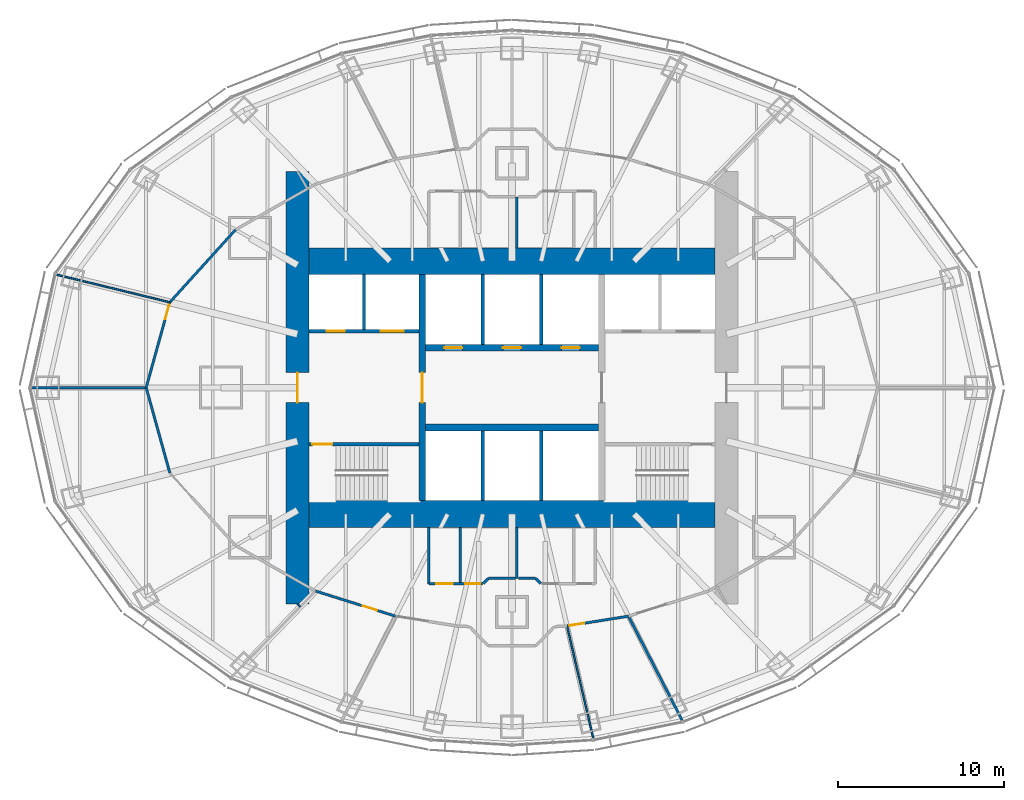
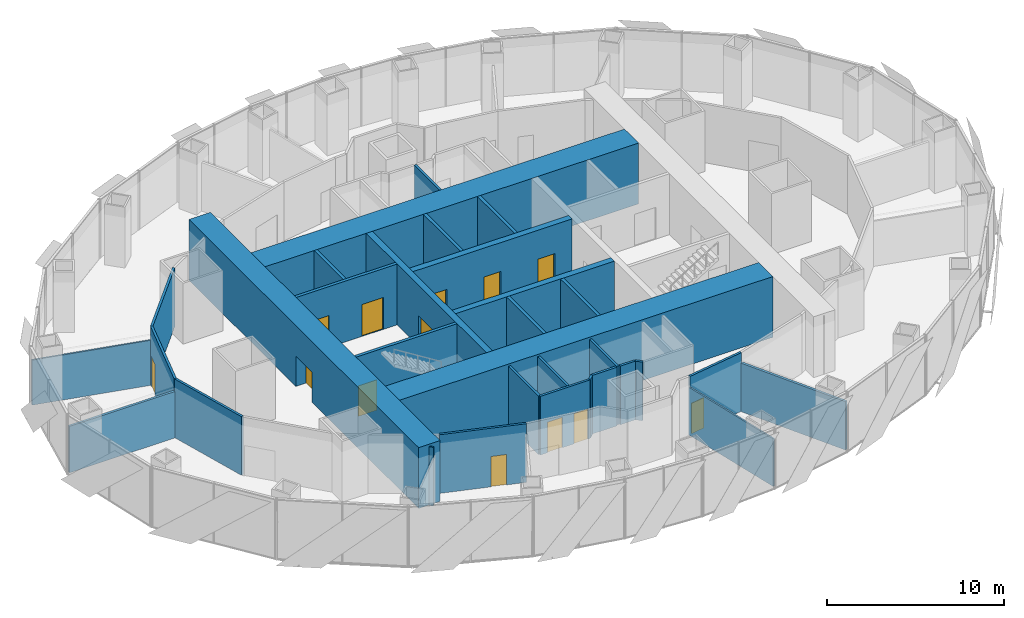
# One storey, part 11 of 18: 32 walls, 13 doors, 13 openings.
"""IFC4 building model written with IfcOpenShell, lengths in metres."""

from ifc_helpers import new_model, si_unit, direction, frame, frame_2d, origin, place, context, subcontext, project, spatial, rectangle, extrude, material, layer, layer_set, type_object, element, fill, save


model = new_model("IFC4")

# Units and contexts
model_context = context("Model", 3, precision=1e-05, world=origin(), true_north=direction((0.0, 1.0)))
body_context = subcontext(model_context, "Body", "Model", "MODEL_VIEW")
ifc_project = project(units=[si_unit("LENGTHUNIT", "METRE"), si_unit("AREAUNIT", "SQUARE_METRE"), si_unit("VOLUMEUNIT", "CUBIC_METRE"), si_unit("PLANEANGLEUNIT", "RADIAN"), si_unit("MASSUNIT", "GRAM", prefix="KILO")], contexts=[model_context])

# Site, building, storey
site_placement = place(None, origin())
site = spatial("IfcSite", under=ifc_project, at=site_placement, CompositionType="ELEMENT")
building_placement = place(site_placement, origin())
building = spatial("IfcBuilding", under=site, at=building_placement, Name="Lantaw Convention Tower", CompositionType="ELEMENT")
storey_placement = place(building_placement, frame((0.0, 0.0, 176.199951171875)))
storey = spatial("IfcBuildingStorey", under=building, at=storey_placement, Name="L41", CompositionType="ELEMENT", Elevation=176.199951171875)

# Wall, opening, door
ifc_material_1 = material(Name="Concrete C60/75", Category="concrete")
ifc_layer_1 = layer(ifc_material_1, 1.39990234375)
ifc_layer_set_1 = layer_set([ifc_layer_1], Name="Core wall 1400")
wall_type_1 = type_object("IfcWallType", Name="Core wall 1400", PredefinedType="SHEAR", material=ifc_layer_set_1)
wall_1_placement = place(storey_placement, frame((-12.89990234375, 13.0, 0.0), z_axis=(0.0, 0.0, 1.0), x_axis=(0.0, -1.0, 0.0)))
wall_1 = element("IfcWall", 1, at=wall_1_placement, inside=storey, type_object=wall_type_1, Name="Core wall W", PredefinedType="SHEAR", context=body_context, shape_type="SweptSolid", body=[
    extrude(rectangle(XDim=26.0, YDim=1.39990234375, at=frame_2d((13.0, 0.0))), origin(), (0.0, 0.0, 1.0), 4.199951171875),
])
opening_1_placement = place(wall_1_placement, frame((12.10009765625, 0.0, 0.0)))
opening_1 = element("IfcOpeningElement", 2, at=opening_1_placement, cuts=wall_1, Name="Opening L41.06", PredefinedType="OPENING", context=body_context, shape_type="SweptSolid", body=[
    extrude(rectangle(XDim=1.800048828125, YDim=2.10009765625, at=frame_2d((0.89990234375, 1.050048828125))), frame((0.0, 0.7099609375, 0.0), z_axis=(0.0, -1.0, 0.0), x_axis=(1.0, 0.0, 0.0)), (0.0, 0.0, 1.0), 1.419921875),
])
ifc_material_2 = material(Name="Steel, fire rated", Category="steel")
door_type_1 = type_object("IfcDoorType", Name="Lobby double door FD90", OperationType="DOUBLE_DOOR_DOUBLE_SWING", PredefinedType="DOOR", material=ifc_material_2)
door_1_placement = place(opening_1_placement, origin())
door_1 = element("IfcDoor", 3, at=door_1_placement, inside=storey, type_object=door_type_1, Name="Firefighting lobby door", OperationType="DOUBLE_DOOR_DOUBLE_SWING", OverallHeight=2.10009765625, OverallWidth=1.800048828125, PredefinedType="DOOR", context=body_context, shape_type="SweptSolid", body=[
    extrude(rectangle(XDim=1.800048828125, YDim=2.10009765625, at=frame_2d((0.89990234375, 1.050048828125))), frame((0.0, 0.02490234375, 0.0), z_axis=(0.0, -1.0, 0.0), x_axis=(1.0, 0.0, 0.0)), (0.0, 0.0, 1.0), 0.050048828125),
])
fill(opening_1, door_1)

# Walls
ifc_layer_2 = layer(ifc_material_1, 1.60009765625)
ifc_layer_set_2 = layer_set([ifc_layer_2], Name="Core wall 1600")
wall_type_2 = type_object("IfcWallType", Name="Core wall 1600", PredefinedType="SHEAR", material=ifc_layer_set_2)
for number, where, z_axis, x_axis, name in (
    (4, (-12.199951171875, -7.60009765625, 0.0), (0.0, 0.0, 1.0), (1.0, 0.0, 0.0), "Core wall S"),
    (5, (12.199951171875, 7.60009765625, 0.0), (0.0, 0.0, 1.0), (-1.0, 0.0, 0.0), "Core wall N"),
):
    element("IfcWall", number, at=place(storey_placement, frame(where, z_axis=z_axis, x_axis=x_axis)), inside=storey, type_object=wall_type_2, Name=name, PredefinedType="SHEAR", context=body_context, shape_type="SweptSolid", body=[
        extrude(rectangle(XDim=24.39990234375, YDim=1.60009765625, at=frame_2d((12.199951171875, 0.0))), origin(), (0.0, 0.0, 1.0), 4.199951171875),
    ])

# Wall, opening, door
ifc_layer_3 = layer(ifc_material_1, 0.199951171875)
ifc_layer_set_3 = layer_set([ifc_layer_3], Name="Core wall 200")
wall_type_3 = type_object("IfcWallType", Name="Core wall 200", PredefinedType="SHEAR", material=ifc_layer_set_3)
wall_2_placement = place(storey_placement, frame((-5.60009765625, -3.39990234375, 0.0), z_axis=(0.0, 0.0, 1.0), x_axis=(-1.0, 0.0, 0.0)))
wall_2 = element("IfcWall", 6, at=wall_2_placement, inside=storey, type_object=wall_type_3, Name="Core wall WS", PredefinedType="SHEAR", context=body_context, shape_type="SweptSolid", body=[
    extrude(rectangle(XDim=6.599853515625, YDim=0.199951171875, at=frame_2d((3.2998046875, 0.0))), origin(), (0.0, 0.0, 1.0), 4.199951171875),
])
opening_2_placement = place(wall_2_placement, frame((5.199951171875, 0.0, 0.0)))
opening_2 = element("IfcOpeningElement", 7, at=opening_2_placement, cuts=wall_2, Name="Opening L41.04", PredefinedType="OPENING", context=body_context, shape_type="SweptSolid", body=[
    extrude(rectangle(XDim=1.199951171875, YDim=2.10009765625, at=frame_2d((0.60009765625, 1.050048828125))), frame((0.0, 0.10986328125, 0.0), z_axis=(0.0, -1.0, 0.0), x_axis=(1.0, 0.0, 0.0)), (0.0, 0.0, 1.0), 0.219970703125),
])
door_type_2 = type_object("IfcDoorType", Name="Stair door FD90", OperationType="SINGLE_SWING_RIGHT", PredefinedType="DOOR", material=ifc_material_2)
door_2_placement = place(opening_2_placement, origin())
door_2 = element("IfcDoor", 8, at=door_2_placement, inside=storey, type_object=door_type_2, Name="Exit stair door", OperationType="SINGLE_SWING_RIGHT", OverallHeight=2.10009765625, OverallWidth=1.199951171875, PredefinedType="DOOR", context=body_context, shape_type="SweptSolid", body=[
    extrude(rectangle(XDim=1.199951171875, YDim=2.10009765625, at=frame_2d((0.60009765625, 1.050048828125))), frame((0.0, 0.02490234375, 0.0), z_axis=(0.0, -1.0, 0.0), x_axis=(1.0, 0.0, 0.0)), (0.0, 0.0, 1.0), 0.050048828125),
])
fill(opening_2, door_2)

ifc_layer_4 = layer(ifc_material_1, 0.39990234375)
ifc_layer_set_4 = layer_set([ifc_layer_4], Name="Core wall 400")
wall_type_4 = type_object("IfcWallType", Name="Core wall 400", PredefinedType="SHEAR", material=ifc_layer_set_4)
wall_3_placement = place(storey_placement, frame((-5.39990234375, 6.800048828125, 0.0), z_axis=(0.0, 0.0, 1.0), x_axis=(0.0, -1.0, 0.0)))
wall_3 = element("IfcWall", 9, at=wall_3_placement, inside=storey, type_object=wall_type_4, Name="Core wall XW", PredefinedType="SHEAR", context=body_context, shape_type="SweptSolid", body=[
    extrude(rectangle(XDim=13.60009765625, YDim=0.39990234375, at=frame_2d((6.800048828125, 0.0))), origin(), (0.0, 0.0, 1.0), 4.199951171875),
])
opening_3_placement = place(wall_3_placement, frame((5.89990234375, 0.0, 0.0)))
opening_3 = element("IfcOpeningElement", 10, at=opening_3_placement, cuts=wall_3, Name="Opening L41.02", PredefinedType="OPENING", context=body_context, shape_type="SweptSolid", body=[
    extrude(rectangle(XDim=1.800048828125, YDim=2.10009765625, at=frame_2d((0.89990234375, 1.050048828125))), frame((0.0, 0.2099609375, 0.0), z_axis=(0.0, -1.0, 0.0), x_axis=(1.0, 0.0, 0.0)), (0.0, 0.0, 1.0), 0.419921875),
])
door_3_placement = place(opening_3_placement, origin())
door_3 = element("IfcDoor", 11, at=door_3_placement, inside=storey, type_object=door_type_1, Name="Lift lobby door", OperationType="DOUBLE_DOOR_DOUBLE_SWING", OverallHeight=2.10009765625, OverallWidth=1.800048828125, PredefinedType="DOOR", context=body_context, shape_type="SweptSolid", body=[
    extrude(rectangle(XDim=1.800048828125, YDim=2.10009765625, at=frame_2d((0.89990234375, 1.050048828125))), frame((0.0, 0.02490234375, 0.0), z_axis=(0.0, -1.0, 0.0), x_axis=(1.0, 0.0, 0.0)), (0.0, 0.0, 1.0), 0.050048828125),
])
fill(opening_3, door_3)

# Wall
wall_4_placement = place(storey_placement, frame((-5.199951171875, -2.39990234375, 0.0), z_axis=(0.0, 0.0, 1.0), x_axis=(1.0, 0.0, 0.0)))
element("IfcWall", 12, at=wall_4_placement, inside=storey, type_object=wall_type_4, Name="Core wall BS", PredefinedType="SHEAR", context=body_context, shape_type="SweptSolid", body=[
    extrude(rectangle(XDim=10.39990234375, YDim=0.39990234375, at=frame_2d((5.199951171875, 0.0))), origin(), (0.0, 0.0, 1.0), 4.199951171875),
])

# Wall, openings, doors
wall_5_placement = place(storey_placement, frame((5.199951171875, 2.39990234375, 0.0), z_axis=(0.0, 0.0, 1.0), x_axis=(-1.0, 0.0, 0.0)))
wall_5 = element("IfcWall", 13, at=wall_5_placement, inside=storey, type_object=wall_type_4, Name="Core wall BN", PredefinedType="SHEAR", context=body_context, shape_type="SweptSolid", body=[
    extrude(rectangle(XDim=10.39990234375, YDim=0.39990234375, at=frame_2d((5.199951171875, 0.0))), origin(), (0.0, 0.0, 1.0), 4.199951171875),
])
opening_4_placement = place(wall_5_placement, frame((8.183349609375, 0.0, 0.0)))
opening_4 = element("IfcOpeningElement", 14, at=opening_4_placement, cuts=wall_5, Name="Opening L41.07", PredefinedType="OPENING", context=body_context, shape_type="SweptSolid", body=[
    extrude(rectangle(XDim=1.10009765625, YDim=2.199951171875, at=frame_2d((0.550048828125, 1.10009765625))), frame((0.0, 0.2099609375, 0.0), z_axis=(0.0, -1.0, 0.0), x_axis=(1.0, 0.0, 0.0)), (0.0, 0.0, 1.0), 0.419921875),
])
opening_5_placement = place(wall_5_placement, frame((4.64990234375, 0.0, 0.0)))
opening_5 = element("IfcOpeningElement", 15, at=opening_5_placement, cuts=wall_5, Name="Opening L41.08", PredefinedType="OPENING", context=body_context, shape_type="SweptSolid", body=[
    extrude(rectangle(XDim=1.10009765625, YDim=2.199951171875, at=frame_2d((0.550048828125, 1.10009765625))), frame((0.0, 0.2099609375, 0.0), z_axis=(0.0, -1.0, 0.0), x_axis=(1.0, 0.0, 0.0)), (0.0, 0.0, 1.0), 0.419921875),
])
opening_6_placement = place(wall_5_placement, frame((1.11669921875, 0.0, 0.0)))
opening_6 = element("IfcOpeningElement", 16, at=opening_6_placement, cuts=wall_5, Name="Opening L41.09", PredefinedType="OPENING", context=body_context, shape_type="SweptSolid", body=[
    extrude(rectangle(XDim=1.10009765625, YDim=2.199951171875, at=frame_2d((0.550048828125, 1.10009765625))), frame((0.0, 0.2099609375, 0.0), z_axis=(0.0, -1.0, 0.0), x_axis=(1.0, 0.0, 0.0)), (0.0, 0.0, 1.0), 0.419921875),
])
ifc_material_3 = material(Name="Stainless steel", Category="steel")
door_type_3 = type_object("IfcDoorType", Name="Lift landing door 1100", OperationType="DOUBLE_DOOR_SLIDING", PredefinedType="DOOR", material=ifc_material_3)
door_4_placement = place(opening_4_placement, origin())
door_4 = element("IfcDoor", 17, at=door_4_placement, inside=storey, type_object=door_type_3, Name="Lift landing door N1", OperationType="DOUBLE_DOOR_SLIDING", OverallHeight=2.199951171875, OverallWidth=1.10009765625, PredefinedType="DOOR", context=body_context, shape_type="SweptSolid", body=[
    extrude(rectangle(XDim=1.10009765625, YDim=2.199951171875, at=frame_2d((0.550048828125, 1.10009765625))), frame((0.0, 0.02490234375, 0.0), z_axis=(0.0, -1.0, 0.0), x_axis=(1.0, 0.0, 0.0)), (0.0, 0.0, 1.0), 0.050048828125),
])
fill(opening_4, door_4)
door_5_placement = place(opening_5_placement, origin())
door_5 = element("IfcDoor", 18, at=door_5_placement, inside=storey, type_object=door_type_3, Name="Lift landing door N2", OperationType="DOUBLE_DOOR_SLIDING", OverallHeight=2.199951171875, OverallWidth=1.10009765625, PredefinedType="DOOR", context=body_context, shape_type="SweptSolid", body=[
    extrude(rectangle(XDim=1.10009765625, YDim=2.199951171875, at=frame_2d((0.550048828125, 1.10009765625))), frame((0.0, 0.02490234375, 0.0), z_axis=(0.0, -1.0, 0.0), x_axis=(1.0, 0.0, 0.0)), (0.0, 0.0, 1.0), 0.050048828125),
])
fill(opening_5, door_5)
door_6_placement = place(opening_6_placement, origin())
door_6 = element("IfcDoor", 19, at=door_6_placement, inside=storey, type_object=door_type_3, Name="Lift landing door N3", OperationType="DOUBLE_DOOR_SLIDING", OverallHeight=2.199951171875, OverallWidth=1.10009765625, PredefinedType="DOOR", context=body_context, shape_type="SweptSolid", body=[
    extrude(rectangle(XDim=1.10009765625, YDim=2.199951171875, at=frame_2d((0.550048828125, 1.10009765625))), frame((0.0, 0.02490234375, 0.0), z_axis=(0.0, -1.0, 0.0), x_axis=(1.0, 0.0, 0.0)), (0.0, 0.0, 1.0), 0.050048828125),
])
fill(opening_6, door_6)

# Wall
ifc_material_4 = material(Name="Gypsum board on steel studs, fire rated", Category="steel")
ifc_layer_5 = layer(ifc_material_4, 0.14990234375)
ifc_layer_set_5 = layer_set([ifc_layer_5], Name="Corridor wall 150 EI 60")
wall_type_5 = type_object("IfcWallType", Name="Corridor wall 150 EI 60", PredefinedType="PARTITIONING", material=ifc_layer_set_5)
wall_6_placement = place(storey_placement, frame((-16.62255859375, 9.49853515625, 0.0), z_axis=(0.0, 0.0, 1.0), x_axis=(-0.671118353743, -0.741350224435, 0.0)))
element("IfcWall", 20, at=wall_6_placement, inside=storey, type_object=wall_type_5, Name="Corridor wall 150", PredefinedType="PARTITIONING", context=body_context, shape_type="SweptSolid", body=[
    extrude(rectangle(XDim=5.89208984375, YDim=0.14990234375, at=frame_2d((2.946044921875, 0.0))), origin(), (0.0, 0.0, 1.0), 4.050048828125),
])

# Wall, opening, door
wall_7_placement = place(storey_placement, frame((-20.576904296875, 5.13037109375, 0.0), z_axis=(0.0, 0.0, 1.0), x_axis=(-0.267293817428, -0.963615076244, 0.0)))
wall_7 = element("IfcWall", 21, at=wall_7_placement, inside=storey, type_object=wall_type_5, Name="Corridor wall 150", PredefinedType="PARTITIONING", context=body_context, shape_type="SweptSolid", body=[
    extrude(rectangle(XDim=5.323974609375, YDim=0.14990234375, at=frame_2d((2.662109375, 0.0))), origin(), (0.0, 0.0, 1.0), 4.050048828125),
])
opening_7_placement = place(wall_7_placement, frame((0.14990234375, 0.0, 0.0)))
opening_7 = element("IfcOpeningElement", 22, at=opening_7_placement, cuts=wall_7, Name="Opening L41.27", PredefinedType="OPENING", context=body_context, shape_type="SweptSolid", body=[
    extrude(rectangle(XDim=0.89990234375, YDim=2.10009765625, at=frame_2d((0.449951171875, 1.050048828125))), frame((0.0, 0.0849609375, 0.0), z_axis=(0.0, -1.0, 0.0), x_axis=(1.0, 0.0, 0.0)), (0.0, 0.0, 1.0), 0.169921875),
])
door_type_4 = type_object("IfcDoorType", Name="Office door 900 FD30", OperationType="SINGLE_SWING_LEFT", PredefinedType="DOOR", material=ifc_material_2)
door_7_placement = place(opening_7_placement, origin())
door_7 = element("IfcDoor", 23, at=door_7_placement, inside=storey, type_object=door_type_4, Name="Meeting room door", OperationType="SINGLE_SWING_LEFT", OverallHeight=2.10009765625, OverallWidth=0.89990234375, PredefinedType="DOOR", context=body_context, shape_type="SweptSolid", body=[
    extrude(rectangle(XDim=0.89990234375, YDim=2.10009765625, at=frame_2d((0.449951171875, 1.050048828125))), frame((0.0, 0.02490234375, 0.0), z_axis=(0.0, -1.0, 0.0), x_axis=(1.0, 0.0, 0.0)), (0.0, 0.0, 1.0), 0.050048828125),
])
fill(opening_7, door_7)

# Wall
wall_8_placement = place(storey_placement, frame((-22.0, 0.0, 0.0), z_axis=(0.0, 0.0, 1.0), x_axis=(0.267293817428, -0.963615076244, 0.0)))
element("IfcWall", 24, at=wall_8_placement, inside=storey, type_object=wall_type_5, Name="Corridor wall 150", PredefinedType="PARTITIONING", context=body_context, shape_type="SweptSolid", body=[
    extrude(rectangle(XDim=5.323974609375, YDim=0.14990234375, at=frame_2d((2.662109375, 0.0))), origin(), (0.0, 0.0, 1.0), 4.050048828125),
])

# Wall, opening, door
wall_9_placement = place(storey_placement, frame((-11.812744140625, -12.232421875, 0.0), z_axis=(0.0, 0.0, 1.0), x_axis=(0.953893934057, -0.300143903101, 0.0)))
wall_9 = element("IfcWall", 25, at=wall_9_placement, inside=storey, type_object=wall_type_5, Name="Corridor wall 150", PredefinedType="PARTITIONING", context=body_context, shape_type="SweptSolid", body=[
    extrude(rectangle(XDim=5.04150390625, YDim=0.14990234375, at=frame_2d((2.520751953125, 0.0))), origin(), (0.0, 0.0, 1.0), 4.050048828125),
])
opening_8_placement = place(wall_9_placement, frame((2.98046875, 0.0, 0.0)))
opening_8 = element("IfcOpeningElement", 26, at=opening_8_placement, cuts=wall_9, Name="Opening L41.29", PredefinedType="OPENING", context=body_context, shape_type="SweptSolid", body=[
    extrude(rectangle(XDim=0.89990234375, YDim=2.10009765625, at=frame_2d((0.449951171875, 1.050048828125))), frame((0.0, 0.0849609375, 0.0), z_axis=(0.0, -1.0, 0.0), x_axis=(1.0, 0.0, 0.0)), (0.0, 0.0, 1.0), 0.169921875),
])
door_8_placement = place(opening_8_placement, origin())
door_8 = element("IfcDoor", 27, at=door_8_placement, inside=storey, type_object=door_type_4, Name="Meeting room door", OperationType="SINGLE_SWING_LEFT", OverallHeight=2.10009765625, OverallWidth=0.89990234375, PredefinedType="DOOR", context=body_context, shape_type="SweptSolid", body=[
    extrude(rectangle(XDim=0.89990234375, YDim=2.10009765625, at=frame_2d((0.449951171875, 1.050048828125))), frame((0.0, 0.02490234375, 0.0), z_axis=(0.0, -1.0, 0.0), x_axis=(1.0, 0.0, 0.0)), (0.0, 0.0, 1.0), 0.050048828125),
])
fill(opening_8, door_8)

wall_10_placement = place(storey_placement, frame((3.3095703125, -14.3349609375, 0.0), z_axis=(0.0, 0.0, 1.0), x_axis=(0.987511396594, 0.157547585181, 0.0)))
wall_10 = element("IfcWall", 28, at=wall_10_placement, inside=storey, type_object=wall_type_5, Name="Corridor wall 150", PredefinedType="PARTITIONING", context=body_context, shape_type="SweptSolid", body=[
    extrude(rectangle(XDim=3.74072265625, YDim=0.14990234375, at=frame_2d((1.870361328125, 0.0))), origin(), (0.0, 0.0, 1.0), 4.050048828125),
])
opening_9_placement = place(wall_10_placement, frame((0.14990234375, 0.0, 0.0)))
opening_9 = element("IfcOpeningElement", 29, at=opening_9_placement, cuts=wall_10, Name="Opening L41.31", PredefinedType="OPENING", context=body_context, shape_type="SweptSolid", body=[
    extrude(rectangle(XDim=0.89990234375, YDim=2.10009765625, at=frame_2d((0.449951171875, 1.050048828125))), frame((0.0, 0.0849609375, 0.0), z_axis=(0.0, -1.0, 0.0), x_axis=(1.0, 0.0, 0.0)), (0.0, 0.0, 1.0), 0.169921875),
])
door_9_placement = place(opening_9_placement, origin())
door_9 = element("IfcDoor", 30, at=door_9_placement, inside=storey, type_object=door_type_4, Name="Meeting room door", OperationType="SINGLE_SWING_LEFT", OverallHeight=2.10009765625, OverallWidth=0.89990234375, PredefinedType="DOOR", context=body_context, shape_type="SweptSolid", body=[
    extrude(rectangle(XDim=0.89990234375, YDim=2.10009765625, at=frame_2d((0.449951171875, 1.050048828125))), frame((0.0, 0.02490234375, 0.0), z_axis=(0.0, -1.0, 0.0), x_axis=(1.0, 0.0, 0.0)), (0.0, 0.0, 1.0), 0.050048828125),
])
fill(opening_9, door_9)

# Walls
ifc_material_5 = material(Name="Gypsum board on steel studs, acoustic", Category="steel")
ifc_layer_6 = layer(ifc_material_5, 0.10009765625)
ifc_layer_set_6 = layer_set([ifc_layer_6], Name="Office partition 100")
wall_type_6 = type_object("IfcWallType", Name="Office partition 100", PredefinedType="PARTITIONING", material=ifc_layer_set_6)
wall_11_placement = place(storey_placement, frame((-27.440673828125, 6.808837890625, 0.0), z_axis=(0.0, 0.0, 1.0), x_axis=(0.971377572955, -0.237540755996, 0.0)))
element("IfcWall", 31, at=wall_11_placement, inside=storey, type_object=wall_type_6, Name="Office partition 100", PredefinedType="PARTITIONING", context=body_context, shape_type="SweptSolid", body=[
    extrude(rectangle(XDim=7.06591796875, YDim=0.10009765625, at=frame_2d((3.532958984375, 0.0))), origin(), (0.0, 0.0, 1.0), 3.11279296875),
])
wall_12_placement = place(storey_placement, frame((4.89697265625, -21.134765625, 0.0), z_axis=(0.0, 0.0, 1.0), x_axis=(-0.22733572198, 0.973816445493, 0.0)))
element("IfcWall", 32, at=wall_12_placement, inside=storey, type_object=wall_type_6, Name="Office partition 100", PredefinedType="PARTITIONING", context=body_context, shape_type="SweptSolid", body=[
    extrude(rectangle(XDim=6.982666015625, YDim=0.10009765625, at=frame_2d((3.4912109375, 0.0))), origin(), (0.0, 0.0, 1.0), 3.293212890625),
])
wall_13_placement = place(storey_placement, frame((-12.89990234375, -13.0, 0.0), z_axis=(0.0, 0.0, 1.0), x_axis=(0.714690391061, -0.699440951707, 0.0)))
element("IfcWall", 33, at=wall_13_placement, inside=storey, type_object=wall_type_6, Name="Office partition 100", PredefinedType="PARTITIONING", context=body_context, shape_type="SweptSolid", body=[
    extrude(rectangle(XDim=0.240234375, YDim=0.10009765625, at=frame_2d((0.1201171875, 0.0))), origin(), (0.0, 0.0, 1.0), 4.050048828125),
])
ifc_material_6 = material(Name="Concrete blockwork, fire rated", Category="masonry")
ifc_layer_7 = layer(ifc_material_6, 0.199951171875)
ifc_layer_set_7 = layer_set([ifc_layer_7], Name="Shaft wall 200")
wall_type_7 = type_object("IfcWallType", Name="Shaft wall 200", PredefinedType="SOLIDWALL", material=ifc_layer_set_7)
for number, where, z_axis, x_axis, name in (
    (34, (-1.7666015625, 2.60009765625, 0.0), (0.0, 0.0, 1.0), (0.0, 1.0, 0.0), "Shaft wall DN1"),
    (35, (1.7666015625, 2.60009765625, 0.0), (0.0, 0.0, 1.0), (0.0, 1.0, 0.0), "Shaft wall DN2"),
):
    element("IfcWall", number, at=place(storey_placement, frame(where, z_axis=z_axis, x_axis=x_axis)), inside=storey, type_object=wall_type_7, Name=name, PredefinedType="SOLIDWALL", context=body_context, shape_type="SweptSolid", body=[
        extrude(rectangle(XDim=4.199951171875, YDim=0.199951171875, at=frame_2d((2.10009765625, 0.0))), origin(), (0.0, 0.0, 1.0), 4.199951171875),
    ])

# Wall, openings, doors
wall_14_placement = place(storey_placement, frame((-12.199951171875, 3.39990234375, 0.0), z_axis=(0.0, 0.0, 1.0), x_axis=(1.0, 0.0, 0.0)))
wall_14 = element("IfcWall", 36, at=wall_14_placement, inside=storey, type_object=wall_type_7, Name="Shaft wall WN", PredefinedType="SOLIDWALL", context=body_context, shape_type="SweptSolid", body=[
    extrude(rectangle(XDim=6.599853515625, YDim=0.199951171875, at=frame_2d((3.2998046875, 0.0))), origin(), (0.0, 0.0, 1.0), 4.199951171875),
])
opening_10_placement = place(wall_14_placement, frame((1.050048828125, 0.0, 0.0)))
opening_10 = element("IfcOpeningElement", 37, at=opening_10_placement, cuts=wall_14, Name="Opening L41.10", PredefinedType="OPENING", context=body_context, shape_type="SweptSolid", body=[
    extrude(rectangle(XDim=1.10009765625, YDim=2.199951171875, at=frame_2d((0.550048828125, 1.10009765625))), frame((0.0, 0.10986328125, 0.0), z_axis=(0.0, -1.0, 0.0), x_axis=(1.0, 0.0, 0.0)), (0.0, 0.0, 1.0), 0.219970703125),
])
opening_11_placement = place(wall_14_placement, frame((4.300048828125, 0.0, 0.0)))
opening_11 = element("IfcOpeningElement", 38, at=opening_11_placement, cuts=wall_14, Name="Opening L41.11", PredefinedType="OPENING", context=body_context, shape_type="SweptSolid", body=[
    extrude(rectangle(XDim=1.39990234375, YDim=2.199951171875, at=frame_2d((0.699951171875, 1.10009765625))), frame((0.0, 0.10986328125, 0.0), z_axis=(0.0, -1.0, 0.0), x_axis=(1.0, 0.0, 0.0)), (0.0, 0.0, 1.0), 0.219970703125),
])
door_10_placement = place(opening_10_placement, origin())
door_10 = element("IfcDoor", 39, at=door_10_placement, inside=storey, type_object=door_type_3, Name="Lift landing door FF1", OperationType="DOUBLE_DOOR_SLIDING", OverallHeight=2.199951171875, OverallWidth=1.10009765625, PredefinedType="DOOR", context=body_context, shape_type="SweptSolid", body=[
    extrude(rectangle(XDim=1.10009765625, YDim=2.199951171875, at=frame_2d((0.550048828125, 1.10009765625))), frame((0.0, 0.02490234375, 0.0), z_axis=(0.0, -1.0, 0.0), x_axis=(1.0, 0.0, 0.0)), (0.0, 0.0, 1.0), 0.050048828125),
])
fill(opening_10, door_10)
door_type_5 = type_object("IfcDoorType", Name="Lift landing door 1400", OperationType="DOUBLE_DOOR_SLIDING", PredefinedType="DOOR", material=ifc_material_3)
door_11_placement = place(opening_11_placement, origin())
door_11 = element("IfcDoor", 40, at=door_11_placement, inside=storey, type_object=door_type_5, Name="Lift landing door SV1", OperationType="DOUBLE_DOOR_SLIDING", OverallHeight=2.199951171875, OverallWidth=1.39990234375, PredefinedType="DOOR", context=body_context, shape_type="SweptSolid", body=[
    extrude(rectangle(XDim=1.39990234375, YDim=2.199951171875, at=frame_2d((0.699951171875, 1.10009765625))), frame((0.0, 0.02490234375, 0.0), z_axis=(0.0, -1.0, 0.0), x_axis=(1.0, 0.0, 0.0)), (0.0, 0.0, 1.0), 0.050048828125),
])
fill(opening_11, door_11)

# Walls
wall_15_placement = place(storey_placement, frame((-8.89990234375, 3.5, 0.0), z_axis=(0.0, 0.0, 1.0), x_axis=(0.0, 1.0, 0.0)))
element("IfcWall", 41, at=wall_15_placement, inside=storey, type_object=wall_type_7, Name="Shaft wall WD", PredefinedType="SOLIDWALL", context=body_context, shape_type="SweptSolid", body=[
    extrude(rectangle(XDim=3.300048828125, YDim=0.199951171875, at=frame_2d((1.64990234375, 0.0))), origin(), (0.0, 0.0, 1.0), 4.199951171875),
])
ifc_layer_8 = layer(ifc_material_6, 0.199951171875)
ifc_layer_set_8 = layer_set([ifc_layer_8], Name="Shaft wall 200 load-bearing")
wall_type_8 = type_object("IfcWallType", Name="Shaft wall 200 load-bearing", PredefinedType="SOLIDWALL", material=ifc_layer_set_8)
for number, where, z_axis, x_axis, name in (
    (42, (-1.7666015625, -2.60009765625, 0.0), (0.0, 0.0, 1.0), (0.0, -1.0, 0.0), "Shaft wall DS1"),
    (43, (1.7666015625, -2.60009765625, 0.0), (0.0, 0.0, 1.0), (0.0, -1.0, 0.0), "Shaft wall DS2"),
):
    element("IfcWall", number, at=place(storey_placement, frame(where, z_axis=z_axis, x_axis=x_axis)), inside=storey, type_object=wall_type_8, Name=name, PredefinedType="SOLIDWALL", context=body_context, shape_type="SweptSolid", body=[
        extrude(rectangle(XDim=4.199951171875, YDim=0.199951171875, at=frame_2d((2.10009765625, 0.0))), origin(), (0.0, 0.0, 1.0), 4.199951171875),
    ])
ifc_layer_9 = layer(ifc_material_4, 0.14990234375)
ifc_layer_set_9 = layer_set([ifc_layer_9], Name="Tenant separation wall 150 EI 60")
wall_type_9 = type_object("IfcWallType", Name="Tenant separation wall 150 EI 60", PredefinedType="PARTITIONING", material=ifc_layer_set_9)
wall_16_placement = place(storey_placement, frame((-28.944091796875, 0.0, 0.0), z_axis=(0.0, 0.0, 1.0), x_axis=(1.0, 0.0, 0.0)))
element("IfcWall", 44, at=wall_16_placement, inside=storey, type_object=wall_type_9, Name="Tenant separation wall 150", PredefinedType="PARTITIONING", context=body_context, shape_type="SweptSolid", body=[
    extrude(rectangle(XDim=6.944091796875, YDim=0.14990234375, at=frame_2d((3.47216796875, 0.0))), origin(), (0.0, 0.0, 1.0), 3.204345703125),
])
wall_17_placement = place(storey_placement, frame((10.25341796875, -20.0517578125, 0.0), z_axis=(0.0, 0.0, 1.0), x_axis=(-0.458082677592, 0.888909590729, 0.0)))
element("IfcWall", 45, at=wall_17_placement, inside=storey, type_object=wall_type_9, Name="Tenant separation wall 150", PredefinedType="PARTITIONING", context=body_context, shape_type="SweptSolid", body=[
    extrude(rectangle(XDim=7.09423828125, YDim=0.14990234375, at=frame_2d((3.547119140625, 0.0))), origin(), (0.0, 0.0, 1.0), 3.34912109375),
])
ifc_material_7 = material(Name="Concrete blockwork", Category="masonry")
ifc_layer_10 = layer(ifc_material_7, 0.14990234375)
ifc_layer_set_10 = layer_set([ifc_layer_10], Name="WC wall 150")
wall_type_10 = type_object("IfcWallType", Name="WC wall 150", PredefinedType="SOLIDWALL", material=ifc_layer_set_10)
for number, where, z_axis, x_axis, name in (
    (46, (-5.0, -8.39990234375, 0.0), (0.0, 0.0, 1.0), (0.0, -1.0, 0.0), "WC wall 150"),
    (47, (-3.10009765625, -8.39990234375, 0.0), (0.0, 0.0, 1.0), (0.0, -1.0, 0.0), "WC wall 150"),
):
    element("IfcWall", number, at=place(storey_placement, frame(where, z_axis=z_axis, x_axis=x_axis)), inside=storey, type_object=wall_type_10, Name=name, PredefinedType="SOLIDWALL", context=body_context, shape_type="SweptSolid", body=[
        extrude(rectangle(XDim=3.400146484375, YDim=0.14990234375, at=frame_2d((1.7001953125, 0.0))), origin(), (0.0, 0.0, 1.0), 4.050048828125),
    ])

# Wall, openings, doors
wall_18_placement = place(storey_placement, frame((-5.0, -11.800048828125, 0.0), z_axis=(0.0, 0.0, 1.0), x_axis=(1.0, 0.0, 0.0)))
wall_18 = element("IfcWall", 48, at=wall_18_placement, inside=storey, type_object=wall_type_10, Name="WC wall 150", PredefinedType="SOLIDWALL", context=body_context, shape_type="SweptSolid", body=[
    extrude(rectangle(XDim=3.236328125, YDim=0.14990234375, at=frame_2d((1.6181640625, 0.0))), origin(), (0.0, 0.0, 1.0), 4.050048828125),
])
opening_12_placement = place(wall_18_placement, frame((0.449951171875, 0.0, 0.0)))
opening_12 = element("IfcOpeningElement", 49, at=opening_12_placement, cuts=wall_18, Name="Opening L41.18", PredefinedType="OPENING", context=body_context, shape_type="SweptSolid", body=[
    extrude(rectangle(XDim=1.0, YDim=2.10009765625, at=frame_2d((0.5, 1.050048828125))), frame((0.0, 0.0849609375, 0.0), z_axis=(0.0, -1.0, 0.0), x_axis=(1.0, 0.0, 0.0)), (0.0, 0.0, 1.0), 0.169921875),
])
opening_13_placement = place(wall_18_placement, frame((2.199951171875, 0.0, 0.0)))
opening_13 = element("IfcOpeningElement", 50, at=opening_13_placement, cuts=wall_18, Name="Opening L41.19", PredefinedType="OPENING", context=body_context, shape_type="SweptSolid", body=[
    extrude(rectangle(XDim=0.89990234375, YDim=2.10009765625, at=frame_2d((0.449951171875, 1.050048828125))), frame((0.0, 0.0849609375, 0.0), z_axis=(0.0, -1.0, 0.0), x_axis=(1.0, 0.0, 0.0)), (0.0, 0.0, 1.0), 0.169921875),
])
ifc_material_8 = material(Name="Timber", Category="wood")
door_type_6 = type_object("IfcDoorType", Name="Accessible WC door 1000", OperationType="SINGLE_SWING_LEFT", PredefinedType="DOOR", material=ifc_material_8)
door_12_placement = place(opening_12_placement, origin())
door_12 = element("IfcDoor", 51, at=door_12_placement, inside=storey, type_object=door_type_6, Name="Accessible WC door", OperationType="SINGLE_SWING_LEFT", OverallHeight=2.10009765625, OverallWidth=1.0, PredefinedType="DOOR", context=body_context, shape_type="SweptSolid", body=[
    extrude(rectangle(XDim=1.0, YDim=2.10009765625, at=frame_2d((0.5, 1.050048828125))), frame((0.0, 0.02490234375, 0.0), z_axis=(0.0, -1.0, 0.0), x_axis=(1.0, 0.0, 0.0)), (0.0, 0.0, 1.0), 0.050048828125),
])
fill(opening_12, door_12)
door_type_7 = type_object("IfcDoorType", Name="WC door 900", OperationType="SINGLE_SWING_LEFT", PredefinedType="DOOR", material=ifc_material_8)
door_13_placement = place(opening_13_placement, origin())
door_13 = element("IfcDoor", 52, at=door_13_placement, inside=storey, type_object=door_type_7, Name="Male WC door", OperationType="SINGLE_SWING_LEFT", OverallHeight=2.10009765625, OverallWidth=0.89990234375, PredefinedType="DOOR", context=body_context, shape_type="SweptSolid", body=[
    extrude(rectangle(XDim=0.89990234375, YDim=2.10009765625, at=frame_2d((0.449951171875, 1.050048828125))), frame((0.0, 0.02490234375, 0.0), z_axis=(0.0, -1.0, 0.0), x_axis=(1.0, 0.0, 0.0)), (0.0, 0.0, 1.0), 0.050048828125),
])
fill(opening_13, door_13)

# Walls
wall_19_placement = place(storey_placement, frame((0.300048828125, -8.39990234375, 0.0), z_axis=(0.0, 0.0, 1.0), x_axis=(0.0, -1.0, 0.0)))
element("IfcWall", 53, at=wall_19_placement, inside=storey, type_object=wall_type_10, Name="WC wall 150", PredefinedType="SOLIDWALL", context=body_context, shape_type="SweptSolid", body=[
    extrude(rectangle(XDim=3.065185546875, YDim=0.14990234375, at=frame_2d((1.53271484375, 0.0))), origin(), (0.0, 0.0, 1.0), 4.050048828125),
])
wall_20_placement = place(storey_placement, frame((-1.733642578125, -11.7841796875, 0.0), z_axis=(0.0, 0.0, 1.0), x_axis=(0.707106781187, 0.707106781187, 0.0)))
element("IfcWall", 54, at=wall_20_placement, inside=storey, type_object=wall_type_10, Name="WC wall 150", PredefinedType="SOLIDWALL", context=body_context, shape_type="SweptSolid", body=[
    extrude(rectangle(XDim=0.43701171875, YDim=0.14990234375, at=frame_2d((0.218505859375, 0.0))), origin(), (0.0, 0.0, 1.0), 4.050048828125),
])
wall_21_placement = place(storey_placement, frame((-1.424560546875, -11.47509765625, 0.0), z_axis=(0.0, 0.0, 1.0), x_axis=(1.0, 0.0, 0.0)))
element("IfcWall", 55, at=wall_21_placement, inside=storey, type_object=wall_type_10, Name="WC wall 150", PredefinedType="SOLIDWALL", context=body_context, shape_type="SweptSolid", body=[
    extrude(rectangle(XDim=1.621337890625, YDim=0.14990234375, at=frame_2d((0.810546875, 0.0))), origin(), (0.0, 0.0, 1.0), 4.050048828125),
])
wall_22_placement = place(storey_placement, frame((0.4033203125, -11.47509765625, 0.0), z_axis=(0.0, 0.0, 1.0), x_axis=(1.0, 0.0, 0.0)))
element("IfcWall", 56, at=wall_22_placement, inside=storey, type_object=wall_type_10, Name="WC wall 150", PredefinedType="SOLIDWALL", context=body_context, shape_type="SweptSolid", body=[
    extrude(rectangle(XDim=1.021240234375, YDim=0.14990234375, at=frame_2d((0.5107421875, 0.0))), origin(), (0.0, 0.0, 1.0), 4.050048828125),
])
wall_23_placement = place(storey_placement, frame((1.424560546875, -11.47509765625, 0.0), z_axis=(0.0, 0.0, 1.0), x_axis=(0.707106781187, -0.707106781187, 0.0)))
element("IfcWall", 57, at=wall_23_placement, inside=storey, type_object=wall_type_10, Name="WC wall 150", PredefinedType="SOLIDWALL", context=body_context, shape_type="SweptSolid", body=[
    extrude(rectangle(XDim=0.43701171875, YDim=0.14990234375, at=frame_2d((0.218505859375, 0.0))), origin(), (0.0, 0.0, 1.0), 4.050048828125),
])
wall_24_placement = place(storey_placement, frame((0.300048828125, 8.39990234375, 0.0), z_axis=(0.0, 0.0, 1.0), x_axis=(0.0, 1.0, 0.0)))
element("IfcWall", 58, at=wall_24_placement, inside=storey, type_object=wall_type_10, Name="WC wall 150", PredefinedType="SOLIDWALL", context=body_context, shape_type="SweptSolid", body=[
    extrude(rectangle(XDim=3.065185546875, YDim=0.14990234375, at=frame_2d((1.53271484375, 0.0))), origin(), (0.0, 0.0, 1.0), 4.050048828125),
])

save(model, "model.ifc")
